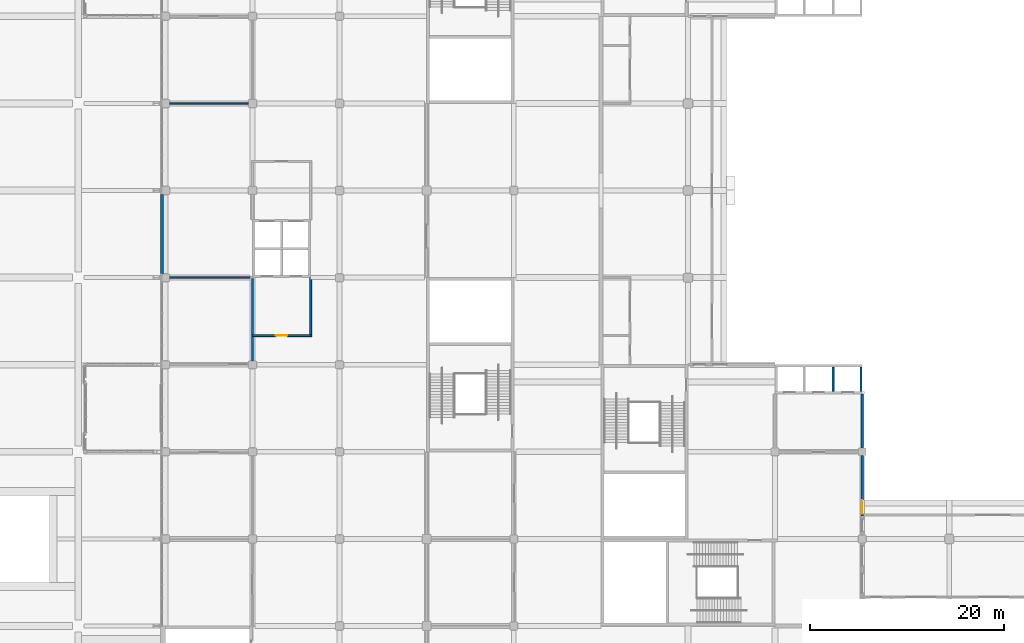
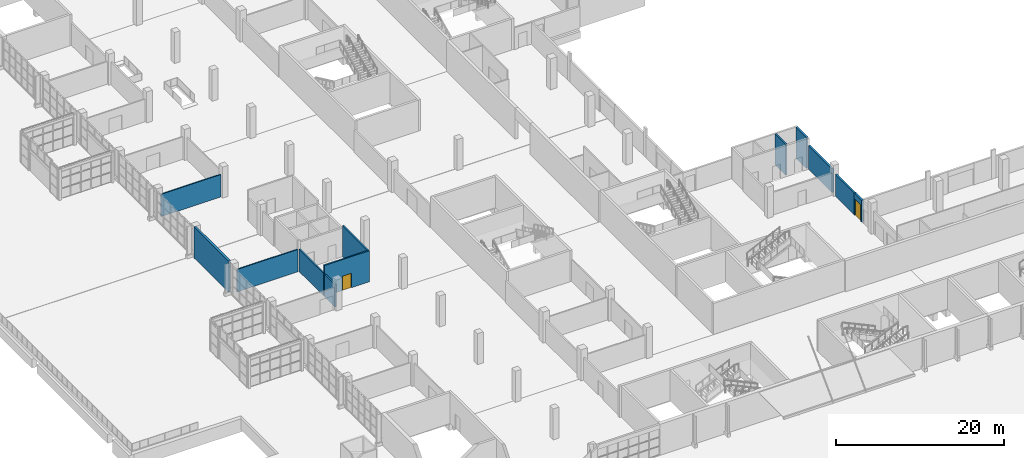
# One storey, part 95 of 168: 12 walls, 2 doors, 2 openings.
"""IFC4 building model written with IfcOpenShell, lengths in metres."""

from ifc_helpers import new_model, si_unit, direction, frame, frame_2d, origin, place, context, subcontext, project, spatial, rectangle, extrude, material, layer, layer_set, type_object, element, fill, save


model = new_model("IFC4")

# Units and contexts
model_context = context("Model", 3, precision=1e-05, world=origin(), true_north=direction((0.0, 1.0)))
body_context = subcontext(model_context, "Body", "Model", "MODEL_VIEW")
ifc_project = project(units=[si_unit("LENGTHUNIT", "METRE"), si_unit("AREAUNIT", "SQUARE_METRE"), si_unit("VOLUMEUNIT", "CUBIC_METRE"), si_unit("PLANEANGLEUNIT", "RADIAN"), si_unit("MASSUNIT", "GRAM", prefix="KILO")], contexts=[model_context])

# Site, building, storey
site_placement = place(None, origin())
site = spatial("IfcSite", under=ifc_project, at=site_placement, CompositionType="ELEMENT")
building_placement = place(site_placement, origin())
building = spatial("IfcBuilding", under=site, at=building_placement, Name="Silverbay Arena", CompositionType="ELEMENT")
storey_placement = place(building_placement, frame((0.0, 0.0, 7.0)))
storey = spatial("IfcBuildingStorey", under=building, at=storey_placement, Name="L01", CompositionType="ELEMENT", Elevation=7.0)

# Wall
ifc_material_1 = material(Name="Concrete Grade C45 precast, board-marked finish", Category="concrete")
ifc_layer_1 = layer(ifc_material_1, 0.300048828125)
ifc_layer_set_1 = layer_set([ifc_layer_1], Name="Concrete Grade C45 precast, board-marked finish")
wall_type_1 = type_object("IfcWallType", Name="Board-marked precast wall 300", PredefinedType="SOLIDWALL", material=ifc_layer_set_1)
wall_1_placement = place(storey_placement, frame((26.64990234375, 80.60009765625, 0.0), z_axis=(0.0, 0.0, 1.0), x_axis=(0.0, -1.0, 0.0)))
element("IfcWall", 1, at=wall_1_placement, inside=storey, type_object=wall_type_1, Name="West external wall L01 bay 7", PredefinedType="SOLIDWALL", context=body_context, shape_type="SweptSolid", body=[
    extrude(rectangle(XDim=8.2001953125, YDim=0.300048828125, at=frame_2d((4.10009765625, 0.0))), origin(), (0.0, 0.0, 1.0), 4.5),
])

# Wall, opening, door
ifc_material_2 = material(Name="Concrete Grade C45", Category="concrete")
ifc_layer_2 = layer(ifc_material_2, 0.25)
ifc_layer_set_2 = layer_set([ifc_layer_2], Name="Concrete Grade C45")
wall_type_2 = type_object("IfcWallType", Name="Bowl enclosure wall RC 250 EI 120", PredefinedType="SOLIDWALL", material=ifc_layer_set_2)
wall_2_placement = place(storey_placement, frame((99.0, 49.10009765625, 0.0), z_axis=(0.0, 0.0, 1.0), x_axis=(0.0, -1.0, 0.0)))
wall_2 = element("IfcWall", 2, at=wall_2_placement, inside=storey, type_object=wall_type_2, Name="gangway South lower stand end", PredefinedType="SOLIDWALL", context=body_context, shape_type="SweptSolid", body=[
    extrude(rectangle(XDim=1.75, YDim=0.25, at=frame_2d((0.875, 0.0))), origin(), (0.0, 0.0, 1.0), 3.14990234375),
])
opening_1_placement = place(wall_2_placement, frame((0.10009765625, 0.0, 0.0)))
opening_1 = element("IfcOpeningElement", 3, at=opening_1_placement, cuts=wall_2, Name="Opening L01-151", PredefinedType="OPENING", context=body_context, shape_type="SweptSolid", body=[
    extrude(rectangle(XDim=1.39990234375, YDim=2.39990234375, at=frame_2d((0.699951171875, 1.199951171875))), frame((0.0, 0.135009765625, 0.0), z_axis=(0.0, -1.0, 0.0), x_axis=(1.0, 0.0, 0.0)), (0.0, 0.0, 1.0), 0.27001953125),
])
ifc_material_3 = material(Name="Steel", Category="steel")
door_type_1 = type_object("IfcDoorType", Name="Fire door set 1400 x 2400 FD120S gangway", OperationType="DOUBLE_DOOR_SINGLE_SWING", PredefinedType="DOOR", material=ifc_material_3)
door_1_placement = place(opening_1_placement, frame((1.39990234375, 0.0, 0.0), z_axis=(0.0, 0.0, 1.0), x_axis=(-1.0, 0.0, 0.0)))
door_1 = element("IfcDoor", 4, at=door_1_placement, inside=storey, type_object=door_type_1, Name="Fire door set L01 gangway South lower stand end", OperationType="DOUBLE_DOOR_SINGLE_SWING", OverallHeight=2.39990234375, OverallWidth=1.39990234375, PredefinedType="DOOR", context=body_context, shape_type="SweptSolid", body=[
    extrude(rectangle(XDim=1.39990234375, YDim=2.39990234375, at=frame_2d((0.699951171875, 1.199951171875))), frame((0.0, 0.02490234375, 0.0), z_axis=(0.0, -1.0, 0.0), x_axis=(1.0, 0.0, 0.0)), (0.0, 0.0, 1.0), 0.050048828125),
])
fill(opening_1, door_1)

# Walls
wall_3_placement = place(storey_placement, frame((99.0, 49.10009765625, 0.0), z_axis=(0.0, 0.0, 1.0), x_axis=(0.0, 1.0, 0.0)))
element("IfcWall", 5, at=wall_3_placement, inside=storey, type_object=wall_type_2, Name="Bowl enclosure wall, corner block SW-x", PredefinedType="SOLIDWALL", context=body_context, shape_type="SweptSolid", body=[
    extrude(rectangle(XDim=4.5, YDim=0.25, at=frame_2d((2.25, 0.0))), origin(), (0.0, 0.0, 1.0), 3.14990234375),
])
wall_4_placement = place(storey_placement, frame((99.0, 54.39990234375, 0.0), z_axis=(0.0, 0.0, 1.0), x_axis=(0.0, 1.0, 0.0)))
element("IfcWall", 6, at=wall_4_placement, inside=storey, type_object=wall_type_2, Name="Bowl enclosure wall, corner block SW-x", PredefinedType="SOLIDWALL", context=body_context, shape_type="SweptSolid", body=[
    extrude(rectangle(XDim=5.60009765625, YDim=0.25, at=frame_2d((2.800048828125, 0.0))), origin(), (0.0, 0.0, 1.0), 3.449951171875),
])
ifc_material_4 = material(Name="Concrete Grade C45", Category="concrete")
ifc_layer_3 = layer(ifc_material_4, 0.199951171875)
ifc_layer_set_3 = layer_set([ifc_layer_3], Name="Concrete Grade C45")
wall_type_3 = type_object("IfcWallType", Name="Lift shaft divider RC 200 EI 120", PredefinedType="SHEAR", material=ifc_layer_set_3)
wall_5_placement = place(storey_placement, frame((96.0, 60.25, 0.0), z_axis=(0.0, 0.0, 1.0), x_axis=(0.0, 1.0, 0.0)))
element("IfcWall", 7, at=wall_5_placement, inside=storey, type_object=wall_type_3, Name="Lift shaft divider LB-SW L01 2", PredefinedType="SHEAR", context=body_context, shape_type="SweptSolid", body=[
    extrude(rectangle(XDim=2.5, YDim=0.199951171875, at=frame_2d((1.25, 0.0))), origin(), (0.0, 0.0, 1.0), 4.5),
])
ifc_material_5 = material(Name="Concrete Grade C45", Category="concrete")
ifc_layer_4 = layer(ifc_material_5, 0.25)
ifc_layer_set_4 = layer_set([ifc_layer_4], Name="Concrete Grade C45")
wall_type_4 = type_object("IfcWallType", Name="Lift shaft wall RC 250 EI 120", PredefinedType="SHEAR", material=ifc_layer_set_4)
wall_6_placement = place(storey_placement, frame((98.875, 60.25, 0.0), z_axis=(0.0, 0.0, 1.0), x_axis=(0.0, 1.0, 0.0)))
element("IfcWall", 8, at=wall_6_placement, inside=storey, type_object=wall_type_4, Name="Lift shaft wall LB-SW L01 end", PredefinedType="SHEAR", context=body_context, shape_type="SweptSolid", body=[
    extrude(rectangle(XDim=2.5, YDim=0.25, at=frame_2d((1.25, 0.0))), origin(), (0.0, 0.0, 1.0), 4.5),
])
ifc_material_6 = material(Name="Gypsum board partition on steel studs", Category="steel")
ifc_layer_5 = layer(ifc_material_6, 0.14990234375)
ifc_layer_set_5 = layer_set([ifc_layer_5], Name="Gypsum board partition on steel studs")
wall_type_5 = type_object("IfcWallType", Name="Partition 150 EI 60", PredefinedType="PARTITIONING", material=ifc_layer_set_5)
wall_7_placement = place(storey_placement, frame((27.39990234375, 72.0, 0.0), z_axis=(0.0, 0.0, 1.0), x_axis=(1.0, 0.0, 0.0)))
element("IfcWall", 9, at=wall_7_placement, inside=storey, type_object=wall_type_5, Name="Partition wall", PredefinedType="PARTITIONING", context=body_context, shape_type="SweptSolid", body=[
    extrude(rectangle(XDim=8.35009765625, YDim=0.14990234375, at=frame_2d((4.175048828125, 0.0))), origin(), (0.0, 0.0, 1.0), 3.25),
])
wall_8_placement = place(storey_placement, frame((27.39990234375, 90.0, 0.0), z_axis=(0.0, 0.0, 1.0), x_axis=(1.0, 0.0, 0.0)))
element("IfcWall", 10, at=wall_8_placement, inside=storey, type_object=wall_type_5, Name="Partition wall", PredefinedType="PARTITIONING", context=body_context, shape_type="SweptSolid", body=[
    extrude(rectangle(XDim=8.2001953125, YDim=0.14990234375, at=frame_2d((4.10009765625, 0.0))), origin(), (0.0, 0.0, 1.0), 3.25),
])

# Wall, opening, door
ifc_material_7 = material(Name="Masonry blockwork partition", Category="masonry")
ifc_layer_6 = layer(ifc_material_7, 0.199951171875)
ifc_layer_set_6 = layer_set([ifc_layer_6], Name="Masonry blockwork partition")
wall_type_6 = type_object("IfcWallType", Name="Partition 200 EI 120", PredefinedType="PARTITIONING", material=ifc_layer_set_6)
wall_9_placement = place(storey_placement, frame((35.89990234375, 66.0, 0.0), z_axis=(0.0, 0.0, 1.0), x_axis=(1.0, 0.0, 0.0)))
wall_9 = element("IfcWall", 11, at=wall_9_placement, inside=storey, type_object=wall_type_6, Name="Partition wall", PredefinedType="PARTITIONING", context=body_context, shape_type="SweptSolid", body=[
    extrude(rectangle(XDim=6.2001953125, YDim=0.199951171875, at=frame_2d((3.10009765625, 0.0))), origin(), (0.0, 0.0, 1.0), 4.5),
])
opening_2_placement = place(wall_9_placement, frame((2.5, 0.0, 0.0)))
opening_2 = element("IfcOpeningElement", 12, at=opening_2_placement, cuts=wall_9, Name="Opening L01-055", PredefinedType="OPENING", context=body_context, shape_type="SweptSolid", body=[
    extrude(rectangle(XDim=1.199951171875, YDim=2.10009765625, at=frame_2d((0.60009765625, 1.050048828125))), frame((0.0, 0.10986328125, 0.0), z_axis=(0.0, -1.0, 0.0), x_axis=(1.0, 0.0, 0.0)), (0.0, 0.0, 1.0), 0.219970703125),
])
ifc_material_8 = material(Name="Steel faced timber", Category="steel")
door_type_2 = type_object("IfcDoorType", Name="Single leaf door 1200 x 2100 FD120", OperationType="SINGLE_SWING_LEFT", PredefinedType="DOOR", material=ifc_material_8)
door_2_placement = place(opening_2_placement, frame((1.199951171875, 0.0, 0.0), z_axis=(0.0, 0.0, 1.0), x_axis=(-1.0, 0.0, 0.0)))
door_2 = element("IfcDoor", 13, at=door_2_placement, inside=storey, type_object=door_type_2, Name="Door L01-055", OperationType="SINGLE_SWING_RIGHT", OverallHeight=2.10009765625, OverallWidth=1.199951171875, PredefinedType="DOOR", context=body_context, shape_type="SweptSolid", body=[
    extrude(rectangle(XDim=1.199951171875, YDim=2.10009765625, at=frame_2d((0.60009765625, 1.050048828125))), frame((0.0, 0.02490234375, 0.0), z_axis=(0.0, -1.0, 0.0), x_axis=(1.0, 0.0, 0.0)), (0.0, 0.0, 1.0), 0.050048828125),
])
fill(opening_2, door_2)

# Walls
wall_10_placement = place(storey_placement, frame((36.0, 66.10009765625, 0.0), z_axis=(0.0, 0.0, 1.0), x_axis=(0.0, 1.0, 0.0)))
element("IfcWall", 14, at=wall_10_placement, inside=storey, type_object=wall_type_6, Name="Partition wall", PredefinedType="PARTITIONING", context=body_context, shape_type="SweptSolid", body=[
    extrude(rectangle(XDim=5.824951171875, YDim=0.199951171875, at=frame_2d((2.91259765625, 0.0))), origin(), (0.0, 0.0, 1.0), 3.25),
])
wall_11_placement = place(storey_placement, frame((42.0, 66.10009765625, 0.0), z_axis=(0.0, 0.0, 1.0), x_axis=(0.0, 1.0, 0.0)))
element("IfcWall", 15, at=wall_11_placement, inside=storey, type_object=wall_type_6, Name="Partition wall", PredefinedType="PARTITIONING", context=body_context, shape_type="SweptSolid", body=[
    extrude(rectangle(XDim=5.89990234375, YDim=0.199951171875, at=frame_2d((2.949951171875, 0.0))), origin(), (0.0, 0.0, 1.0), 4.5),
])
ifc_material_9 = material(Name="Gypsum board partition on steel studs", Category="steel")
ifc_layer_7 = layer(ifc_material_9, 0.199951171875)
ifc_layer_set_7 = layer_set([ifc_layer_7], Name="Gypsum board partition on steel studs")
wall_type_7 = type_object("IfcWallType", Name="Partition 200 EI 60", PredefinedType="PARTITIONING", material=ifc_layer_set_7)
wall_12_placement = place(storey_placement, frame((36.0, 63.39990234375, 0.0), z_axis=(0.0, 0.0, 1.0), x_axis=(0.0, 1.0, 0.0)))
element("IfcWall", 16, at=wall_12_placement, inside=storey, type_object=wall_type_7, Name="Partition wall", PredefinedType="PARTITIONING", context=body_context, shape_type="SweptSolid", body=[
    extrude(rectangle(XDim=2.5, YDim=0.199951171875, at=frame_2d((1.25, 0.0))), origin(), (0.0, 0.0, 1.0), 3.25),
])

save(model, "model.ifc")
